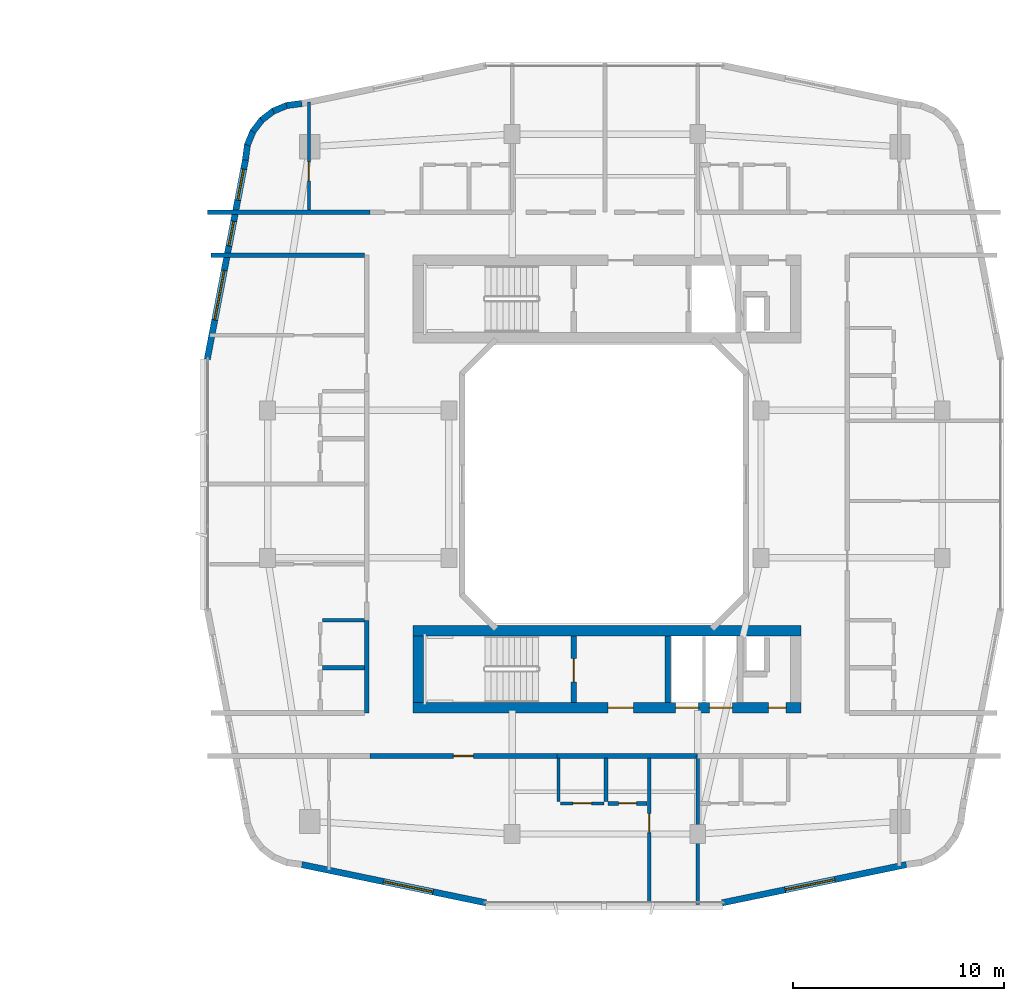
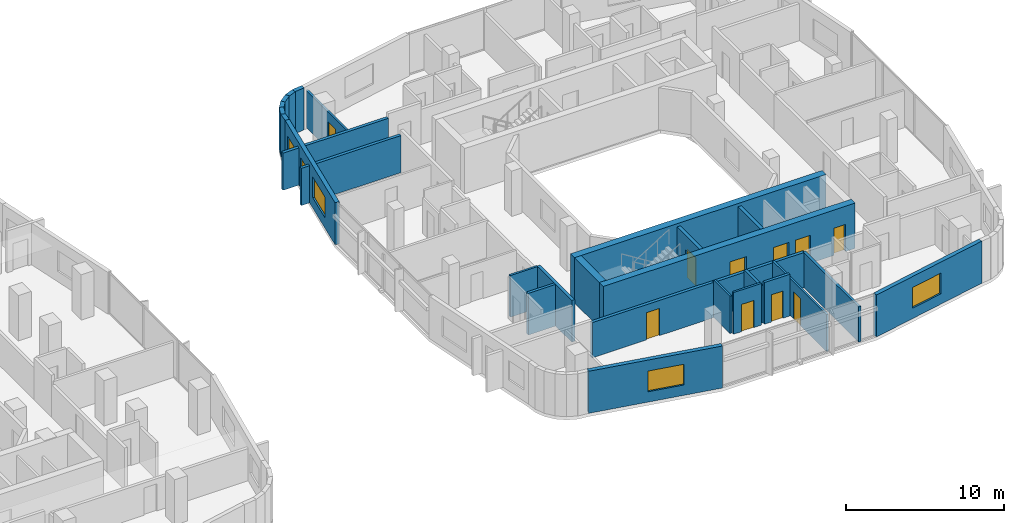
# One storey, part 17 of 26: 28 walls, 10 doors, 5 windows, 15 openings.
"""IFC4 building model written with IfcOpenShell, lengths in metres."""

from ifc_helpers import new_model, si_unit, derived_unit, direction, frame, frame_2d, origin, place, context, subcontext, project, spatial, rectangle, extrude, material, layer, layer_set, type_object, element, fill, save


model = new_model("IFC4")

# Units and contexts
model_context = context("Model", 3, precision=1e-05, world=origin(), true_north=direction((0.0, 1.0)))
body_context = subcontext(model_context, "Body", "Model", "MODEL_VIEW")
ifc_project = project(units=[si_unit("LENGTHUNIT", "METRE"), si_unit("AREAUNIT", "SQUARE_METRE"), si_unit("VOLUMEUNIT", "CUBIC_METRE"), si_unit("PLANEANGLEUNIT", "RADIAN"), si_unit("MASSUNIT", "GRAM", prefix="KILO"), derived_unit("THERMALTRANSMITTANCEUNIT", [(si_unit("POWERUNIT", "WATT"), 1), (si_unit("LENGTHUNIT", "METRE"), -2), (si_unit("THERMODYNAMICTEMPERATUREUNIT", "KELVIN"), -1)])], contexts=[model_context])

# Site, building, storey
site_placement = place(None, origin())
site = spatial("IfcSite", under=ifc_project, at=site_placement, CompositionType="ELEMENT")
building_placement = place(site_placement, origin())
building = spatial("IfcBuilding", under=site, at=building_placement, Name="Kivonza Crest Hotel", CompositionType="ELEMENT")
storey_placement = place(building_placement, frame((0.0, 0.0, 62.5)))
storey = spatial("IfcBuildingStorey", under=building, at=storey_placement, Name="L16", CompositionType="ELEMENT", Elevation=62.5)

# Walls
ifc_material_1 = material(Name="High-density acoustic masonry inter-tenancy wall", Category="masonry")
ifc_layer_1 = layer(ifc_material_1, 0.179931640625)
ifc_layer_set_1 = layer_set([ifc_layer_1], Name="High-density acoustic masonry inter-tenancy wall")
wall_type_1 = type_object("IfcWallType", Name="WL-ACOU-180", PredefinedType="SOLIDWALL", material=ifc_layer_set_1)
wall_1_placement = place(storey_placement, frame((81.39990234375, 5.06005859375, 0.0), z_axis=(0.0, 0.0, 1.0), x_axis=(0.0, 1.0, 0.0)))
element("IfcWall", 1, at=wall_1_placement, inside=storey, type_object=wall_type_1, Name="L16 interior partition WA-L16-T2S-DIV1", PredefinedType="SOLIDWALL", context=body_context, shape_type="SweptSolid", body=[
    extrude(rectangle(XDim=7.0400390625, YDim=0.179931640625, at=frame_2d((3.52001953125, 0.0))), origin(), (0.0, 0.0, 1.0), 2.72509765625),
])
ifc_material_2 = material(Name="Autoclaved aerated concrete blockwork", Category="masonry")
ifc_layer_2 = layer(ifc_material_2, 0.219970703125)
ifc_layer_set_2 = layer_set([ifc_layer_2], Name="Autoclaved aerated concrete blockwork")
wall_type_2 = type_object("IfcWallType", Name="WL-ACOU-220", PredefinedType="SOLIDWALL", material=ifc_layer_set_2)
wall_2_placement = place(storey_placement, frame((58.159912109375, 37.89990234375, 0.0), z_axis=(0.0, 0.0, 1.0), x_axis=(1.0, 0.0, 0.0)))
element("IfcWall", 2, at=wall_2_placement, inside=storey, type_object=wall_type_2, Name="L16 interior partition WA-L16-A01-LCORR", PredefinedType="SOLIDWALL", context=body_context, shape_type="SweptSolid", body=[
    extrude(rectangle(XDim=7.690185546875, YDim=0.219970703125, at=frame_2d((3.84521484375, 0.0))), origin(), (0.0, 0.0, 1.0), 2.864990234375),
])
wall_3_placement = place(storey_placement, frame((74.719970703125, 12.10009765625, 0.0), z_axis=(0.0, 0.0, 1.0), x_axis=(1.0, 0.0, 0.0)))
element("IfcWall", 3, at=wall_3_placement, inside=storey, type_object=wall_type_2, Name="L16 interior partition WA-L16-A03-RCORR", PredefinedType="SOLIDWALL", context=body_context, shape_type="SweptSolid", body=[
    extrude(rectangle(XDim=6.679931640625, YDim=0.219970703125, at=frame_2d((3.33984375, 0.0))), origin(), (0.0, 0.0, 1.0), 2.72509765625),
])

# Wall, opening, door
wall_4_placement = place(storey_placement, frame((65.85009765625, 12.10009765625, 0.0), z_axis=(0.0, 0.0, 1.0), x_axis=(1.0, 0.0, 0.0)))
wall_4 = element("IfcWall", 4, at=wall_4_placement, inside=storey, type_object=wall_type_2, Name="L16 interior partition WA-L16-A03-MCORR", PredefinedType="SOLIDWALL", context=body_context, shape_type="SweptSolid", body=[
    extrude(rectangle(XDim=8.869873046875, YDim=0.219970703125, at=frame_2d((4.43505859375, 0.0))), origin(), (0.0, 0.0, 1.0), 2.72509765625),
])
opening_1_placement = place(wall_4_placement, frame((3.9599609375, 0.0, 0.0)))
opening_1 = element("IfcOpeningElement", 5, at=opening_1_placement, cuts=wall_4, Name="Opening DU-60", PredefinedType="OPENING", context=body_context, shape_type="SweptSolid", body=[
    extrude(rectangle(XDim=0.949951171875, YDim=2.10009765625, at=frame_2d((0.47509765625, 1.050048828125))), frame((0.0, 0.1201171875, 0.0), z_axis=(0.0, -1.0, 0.0), x_axis=(1.0, 0.0, 0.0)), (0.0, 0.0, 1.0), 0.239990234375),
])
ifc_material_3 = material(Name="Hardwood timber oak", Category="wood")
door_type_1 = type_object("IfcDoorType", Name="DR-UNIT-950", OperationType="NOTDEFINED", PredefinedType="DOOR", material=ifc_material_3)
door_1_placement = place(opening_1_placement, frame((0.949951171875, 0.0, 0.0), z_axis=(0.0, 0.0, 1.0), x_axis=(-1.0, 0.0, 0.0)))
door_1 = element("IfcDoor", 6, at=door_1_placement, inside=storey, type_object=door_type_1, Name="L16 A03 apartment entrance fire door", OperationType="SINGLE_SWING_LEFT", OverallHeight=2.10009765625, OverallWidth=0.949951171875, PredefinedType="DOOR", context=body_context, shape_type="SweptSolid", body=[
    extrude(rectangle(XDim=0.949951171875, YDim=2.10009765625, at=frame_2d((0.47509765625, 1.050048828125))), frame((0.0, 0.02490234375, 0.0), z_axis=(0.0, -1.0, 0.0), x_axis=(1.0, 0.0, 0.0)), (0.0, 0.0, 1.0), 0.050048828125),
])
fill(opening_1, door_1)

# Walls
wall_5_placement = place(storey_placement, frame((58.320068359375, 35.860107421875, 0.0), z_axis=(0.0, 0.0, 1.0), x_axis=(1.0, 0.0, 0.0)))
element("IfcWall", 7, at=wall_5_placement, inside=storey, type_object=wall_type_2, Name="L16 interior partition WA-L16-T2W-ENDN", PredefinedType="SOLIDWALL", context=body_context, shape_type="SweptSolid", body=[
    extrude(rectangle(XDim=7.280029296875, YDim=0.219970703125, at=frame_2d((3.64013671875, 0.0))), origin(), (0.0, 0.0, 1.0), 2.864990234375),
])
wall_6_placement = place(storey_placement, frame((65.699951171875, 14.139892578125, 0.0), z_axis=(0.0, 0.0, 1.0), x_axis=(0.0, 1.0, 0.0)))
element("IfcWall", 8, at=wall_6_placement, inside=storey, type_object=wall_type_2, Name="L16 interior partition WA-L16-A05-BCORR", PredefinedType="SOLIDWALL", context=body_context, shape_type="SweptSolid", body=[
    extrude(rectangle(XDim=4.400146484375, YDim=0.219970703125, at=frame_2d((2.2001953125, 0.0))), origin(), (0.0, 0.0, 1.0), 3.219970703125),
])

# Wall, openings, doors
ifc_material_4 = material(Name="Concrete C60/75", Category="concrete")
ifc_layer_3 = layer(ifc_material_4, 0.5)
ifc_layer_set_3 = layer_set([ifc_layer_3], Name="Concrete C60/75")
wall_type_3 = type_object("IfcWallType", Name="WL-CORE-500", PredefinedType="SHEAR", material=ifc_layer_set_3)
wall_7_placement = place(storey_placement, frame((67.89990234375, 14.389892578125, 0.0), z_axis=(0.0, 0.0, 1.0), x_axis=(1.0, 0.0, 0.0)))
wall_7 = element("IfcWall", 9, at=wall_7_placement, inside=storey, type_object=wall_type_3, Name="Core wall T2-S South L16", PredefinedType="SHEAR", context=body_context, shape_type="SweptSolid", body=[
    extrude(rectangle(XDim=18.400146484375, YDim=0.5, at=frame_2d((9.2001953125, 0.0))), origin(), (0.0, 0.0, 1.0), 3.5),
])
opening_2_placement = place(wall_7_placement, frame((9.25, 0.0, 0.0)))
opening_2 = element("IfcOpeningElement", 10, at=opening_2_placement, cuts=wall_7, Name="Opening DF-60", PredefinedType="OPENING", context=body_context, shape_type="SweptSolid", body=[
    extrude(rectangle(XDim=1.199951171875, YDim=2.14990234375, at=frame_2d((0.60009765625, 1.074951171875))), frame((0.0, 0.260009765625, 0.0), z_axis=(0.0, -1.0, 0.0), x_axis=(1.0, 0.0, 0.0)), (0.0, 0.0, 1.0), 0.52001953125),
])
opening_3_placement = place(wall_7_placement, frame((16.85009765625, 0.0, 0.0)))
opening_3 = element("IfcOpeningElement", 11, at=opening_3_placement, cuts=wall_7, Name="Opening DF-60R", PredefinedType="OPENING", context=body_context, shape_type="SweptSolid", body=[
    extrude(rectangle(XDim=0.85009765625, YDim=2.10009765625, at=frame_2d((0.425048828125, 1.050048828125))), frame((0.0, 0.260009765625, 0.0), z_axis=(0.0, -1.0, 0.0), x_axis=(1.0, 0.0, 0.0)), (0.0, 0.0, 1.0), 0.52001953125),
])
opening_4_placement = place(wall_7_placement, frame((12.449951171875, 0.0, 0.0)))
opening_4 = element("IfcOpeningElement", 12, at=opening_4_placement, cuts=wall_7, Name="Opening LD-120", PredefinedType="OPENING", context=body_context, shape_type="SweptSolid", body=[
    extrude(rectangle(XDim=1.10009765625, YDim=2.14990234375, at=frame_2d((0.550048828125, 1.074951171875))), frame((0.0, 0.260009765625, 0.0), z_axis=(0.0, -1.0, 0.0), x_axis=(1.0, 0.0, 0.0)), (0.0, 0.0, 1.0), 0.52001953125),
])
opening_5_placement = place(wall_7_placement, frame((14.050048828125, 0.0, 0.0)))
opening_5 = element("IfcOpeningElement", 13, at=opening_5_placement, cuts=wall_7, Name="Opening LD-120", PredefinedType="OPENING", context=body_context, shape_type="SweptSolid", body=[
    extrude(rectangle(XDim=1.10009765625, YDim=2.14990234375, at=frame_2d((0.550048828125, 1.074951171875))), frame((0.0, 0.260009765625, 0.0), z_axis=(0.0, -1.0, 0.0), x_axis=(1.0, 0.0, 0.0)), (0.0, 0.0, 1.0), 0.52001953125),
])
door_type_2 = type_object("IfcDoorType", Name="DR-FD60-1200", OperationType="NOTDEFINED", PredefinedType="DOOR", material=ifc_material_3)
door_2_placement = place(opening_2_placement, frame((1.199951171875, 0.0, 0.0), z_axis=(0.0, 0.0, 1.0), x_axis=(-1.0, 0.0, 0.0)))
door_2 = element("IfcDoor", 14, at=door_2_placement, inside=storey, type_object=door_type_2, Name="L16 T2-S firefighting lobby fire door", OperationType="SINGLE_SWING_LEFT", OverallHeight=2.14990234375, OverallWidth=1.199951171875, PredefinedType="DOOR", context=body_context, shape_type="SweptSolid", body=[
    extrude(rectangle(XDim=1.199951171875, YDim=2.14990234375, at=frame_2d((0.60009765625, 1.074951171875))), frame((0.0, 0.02490234375, 0.0), z_axis=(0.0, -1.0, 0.0), x_axis=(1.0, 0.0, 0.0)), (0.0, 0.0, 1.0), 0.050048828125),
])
fill(opening_2, door_2)
door_type_3 = type_object("IfcDoorType", Name="DR-FD60-850", OperationType="NOTDEFINED", PredefinedType="DOOR", material=ifc_material_3)
door_3_placement = place(opening_3_placement, frame((0.85009765625, 0.0, 0.0), z_axis=(0.0, 0.0, 1.0), x_axis=(-1.0, 0.0, 0.0)))
door_3 = element("IfcDoor", 15, at=door_3_placement, inside=storey, type_object=door_type_3, Name="L16 T2-S core room door", OperationType="SINGLE_SWING_RIGHT", OverallHeight=2.10009765625, OverallWidth=0.85009765625, PredefinedType="DOOR", context=body_context, shape_type="SweptSolid", body=[
    extrude(rectangle(XDim=0.85009765625, YDim=2.10009765625, at=frame_2d((0.425048828125, 1.050048828125))), frame((0.0, 0.02490234375, 0.0), z_axis=(0.0, -1.0, 0.0), x_axis=(1.0, 0.0, 0.0)), (0.0, 0.0, 1.0), 0.050048828125),
])
fill(opening_3, door_3)
ifc_material_5 = material(Name="Stainless steel", Category="steel")
door_type_4 = type_object("IfcDoorType", Name="DR-LD120-1100", OperationType="NOTDEFINED", PredefinedType="DOOR", material=ifc_material_5)
door_4_placement = place(opening_4_placement, frame((1.10009765625, 0.0, 0.0), z_axis=(0.0, 0.0, 1.0), x_axis=(-1.0, 0.0, 0.0)))
door_4 = element("IfcDoor", 16, at=door_4_placement, inside=storey, type_object=door_type_4, Name="L16 PL-T2-1 passenger lift sliding landing door", OperationType="DOUBLE_DOOR_SLIDING", OverallHeight=2.14990234375, OverallWidth=1.10009765625, PredefinedType="DOOR", context=body_context, shape_type="SweptSolid", body=[
    extrude(rectangle(XDim=1.10009765625, YDim=2.14990234375, at=frame_2d((0.550048828125, 1.074951171875))), frame((0.0, 0.02490234375, 0.0), z_axis=(0.0, -1.0, 0.0), x_axis=(1.0, 0.0, 0.0)), (0.0, 0.0, 1.0), 0.050048828125),
])
fill(opening_4, door_4)
door_5_placement = place(opening_5_placement, frame((1.10009765625, 0.0, 0.0), z_axis=(0.0, 0.0, 1.0), x_axis=(-1.0, 0.0, 0.0)))
door_5 = element("IfcDoor", 17, at=door_5_placement, inside=storey, type_object=door_type_4, Name="L16 PL-T2-2 passenger lift sliding landing door", OperationType="DOUBLE_DOOR_SLIDING", OverallHeight=2.14990234375, OverallWidth=1.10009765625, PredefinedType="DOOR", context=body_context, shape_type="SweptSolid", body=[
    extrude(rectangle(XDim=1.10009765625, YDim=2.14990234375, at=frame_2d((0.550048828125, 1.074951171875))), frame((0.0, 0.02490234375, 0.0), z_axis=(0.0, -1.0, 0.0), x_axis=(1.0, 0.0, 0.0)), (0.0, 0.0, 1.0), 0.050048828125),
])
fill(opening_5, door_5)

# Walls
wall_8_placement = place(storey_placement, frame((67.89990234375, 18.050048828125, 0.0), z_axis=(0.0, 0.0, 1.0), x_axis=(1.0, 0.0, 0.0)))
element("IfcWall", 18, at=wall_8_placement, inside=storey, type_object=wall_type_3, Name="Core wall T2-S North L16", PredefinedType="SHEAR", context=body_context, shape_type="SweptSolid", body=[
    extrude(rectangle(XDim=18.400146484375, YDim=0.5, at=frame_2d((9.2001953125, 0.0))), origin(), (0.0, 0.0, 1.0), 3.5),
])
wall_9_placement = place(storey_placement, frame((68.14990234375, 14.639892578125, 0.0), z_axis=(0.0, 0.0, 1.0), x_axis=(0.0, 1.0, 0.0)))
element("IfcWall", 19, at=wall_9_placement, inside=storey, type_object=wall_type_3, Name="Core wall T2-S West L16", PredefinedType="SHEAR", context=body_context, shape_type="SweptSolid", body=[
    extrude(rectangle(XDim=3.16015625, YDim=0.5, at=frame_2d((1.580078125, 0.0))), origin(), (0.0, 0.0, 1.0), 3.5),
])

# Wall, opening, window
ifc_material_6 = material(Name="Precast concrete C40/50", Category="concrete")
ifc_layer_4 = layer(ifc_material_6, 0.300048828125)
ifc_layer_set_4 = layer_set([ifc_layer_4], Name="Precast concrete C40/50")
wall_type_4 = type_object("IfcWallType", Name="WL-EXT-300", PredefinedType="STANDARD", material=ifc_layer_set_4)
wall_10_placement = place(storey_placement, frame((62.6220703125, 6.948974609375, 0.0), z_axis=(0.0, 0.0, 1.0), x_axis=(0.979127260729, -0.203248142175, 0.0)))
wall_10 = element("IfcWall", 20, at=wall_10_placement, inside=storey, type_object=wall_type_4, Name="L16 T2 exterior insulated wall 7", PredefinedType="STANDARD", context=body_context, shape_type="SweptSolid", body=[
    extrude(rectangle(XDim=8.920166015625, YDim=0.300048828125, at=frame_2d((4.4599609375, 0.0))), origin(), (0.0, 0.0, 1.0), 3.25),
])
opening_6_placement = place(wall_10_placement, frame((3.95703125, 0.0, 0.800048828125)))
opening_6 = element("IfcOpeningElement", 21, at=opening_6_placement, cuts=wall_10, Name="Opening WN-05", PredefinedType="OPENING", context=body_context, shape_type="SweptSolid", body=[
    extrude(rectangle(XDim=2.39990234375, YDim=1.60009765625, at=frame_2d((1.199951171875, 0.800048828125))), frame((0.0, 0.16015625, 0.0), z_axis=(0.0, -1.0, 0.0), x_axis=(1.0, 0.0, 0.0)), (0.0, 0.0, 1.0), 0.320068359375),
])
ifc_material_7 = material(Name="Thermally broken bronze aluminium and low-E double glazing", Category="aluminium")
window_type_1 = type_object("IfcWindowType", Name="WN-240x160", PartitioningType="TRIPLE_PANEL_VERTICAL", PredefinedType="WINDOW", material=ifc_material_7)
window_1_placement = place(opening_6_placement, origin())
window_1 = element("IfcWindow", 22, at=window_1_placement, inside=storey, type_object=window_type_1, Name="L16 T2 facade window 7", OverallHeight=1.60009765625, OverallWidth=2.39990234375, PartitioningType="SINGLE_PANEL", PredefinedType="WINDOW", context=body_context, shape_type="SweptSolid", body=[
    extrude(rectangle(XDim=2.39990234375, YDim=1.60009765625, at=frame_2d((1.199951171875, 0.800048828125))), frame((0.0, 0.030029296875, 0.0), z_axis=(0.0, -1.0, 0.0), x_axis=(1.0, 0.0, 0.0)), (0.0, 0.0, 1.0), 0.06005859375),
])
fill(opening_6, window_1)

wall_11_placement = place(storey_placement, frame((82.56396484375, 5.135986328125, 0.0), z_axis=(0.0, 0.0, 1.0), x_axis=(0.979128391325, 0.203242695569, 0.0)))
wall_11 = element("IfcWall", 23, at=wall_11_placement, inside=storey, type_object=wall_type_4, Name="L16 T2 exterior insulated wall 9", PredefinedType="STANDARD", context=body_context, shape_type="SweptSolid", body=[
    extrude(rectangle(XDim=8.92041015625, YDim=0.300048828125, at=frame_2d((4.460205078125, 0.0))), origin(), (0.0, 0.0, 1.0), 3.25),
])
opening_7_placement = place(wall_11_placement, frame((3.048095703125, 0.0, 0.800048828125)))
opening_7 = element("IfcOpeningElement", 24, at=opening_7_placement, cuts=wall_11, Name="Opening WN-05", PredefinedType="OPENING", context=body_context, shape_type="SweptSolid", body=[
    extrude(rectangle(XDim=2.39990234375, YDim=1.60009765625, at=frame_2d((1.199951171875, 0.800048828125))), frame((0.0, 0.16015625, 0.0), z_axis=(0.0, -1.0, 0.0), x_axis=(1.0, 0.0, 0.0)), (0.0, 0.0, 1.0), 0.320068359375),
])
window_2_placement = place(opening_7_placement, origin())
window_2 = element("IfcWindow", 25, at=window_2_placement, inside=storey, type_object=window_type_1, Name="L16 T2 facade window 9", OverallHeight=1.60009765625, OverallWidth=2.39990234375, PartitioningType="SINGLE_PANEL", PredefinedType="WINDOW", context=body_context, shape_type="SweptSolid", body=[
    extrude(rectangle(XDim=2.39990234375, YDim=1.60009765625, at=frame_2d((1.199951171875, 0.800048828125))), frame((0.0, 0.030029296875, 0.0), z_axis=(0.0, -1.0, 0.0), x_axis=(1.0, 0.0, 0.0)), (0.0, 0.0, 1.0), 0.06005859375),
])
fill(opening_7, window_2)

# Walls
wall_12_placement = place(storey_placement, frame((62.626953125, 43.052001953125, 0.0), z_axis=(0.0, 0.0, 1.0), x_axis=(-0.991480488834, -0.130255288807, 0.0)))
element("IfcWall", 26, at=wall_12_placement, inside=storey, type_object=wall_type_4, Name="L16 T2 exterior insulated wall 28", PredefinedType="STANDARD", context=body_context, shape_type="SweptSolid", body=[
    extrude(rectangle(XDim=0.72900390625, YDim=0.300048828125, at=frame_2d((0.364501953125, 0.0))), origin(), (0.0, 0.0, 1.0), 3.25),
])
for number, where, z_axis, x_axis, name in (
    (27, (61.955078125, 42.97607421875, 0.0), (0.0, 0.0, 1.0), (-0.923521684703, -0.383546213491, 0.0), "L16 T2 exterior insulated wall 29"),
    (28, (61.31103515625, 42.720947265625, 0.0), (0.0, 0.0, 1.0), (-0.79363269798, -0.608397189915, 0.0), "L16 T2 exterior insulated wall 30"),
    (29, (60.75390625, 42.30908203125, 0.0), (0.0, 0.0, 1.0), (-0.608397189915, -0.79363269798, 0.0), "L16 T2 exterior insulated wall 31"),
    (30, (60.323974609375, 41.76611328125, 0.0), (0.0, 0.0, 1.0), (-0.383151213466, -0.923685632463, 0.0), "L16 T2 exterior insulated wall 32"),
):
    element("IfcWall", number, at=place(storey_placement, frame(where, z_axis=z_axis, x_axis=x_axis)), inside=storey, type_object=wall_type_4, Name=name, PredefinedType="STANDARD", context=body_context, shape_type="SweptSolid", body=[
        extrude(rectangle(XDim=0.74609375, YDim=0.300048828125, at=frame_2d((0.373046875, 0.0))), origin(), (0.0, 0.0, 1.0), 3.25),
    ])
wall_13_placement = place(storey_placement, frame((60.047119140625, 41.131103515625, 0.0), z_axis=(0.0, 0.0, 1.0), x_axis=(-0.129653178221, -0.991559404866, 0.0)))
element("IfcWall", 31, at=wall_13_placement, inside=storey, type_object=wall_type_4, Name="L16 T2 exterior insulated wall 33", PredefinedType="STANDARD", context=body_context, shape_type="SweptSolid", body=[
    extrude(rectangle(XDim=0.764404296875, YDim=0.300048828125, at=frame_2d((0.38232421875, 0.0))), origin(), (0.0, 0.0, 1.0), 3.25),
])

# Wall, openings, windows
wall_14_placement = place(storey_placement, frame((59.948974609375, 40.3798828125, 0.0), z_axis=(0.0, 0.0, 1.0), x_axis=(-0.188087874316, -0.982152203854, 0.0)))
wall_14 = element("IfcWall", 32, at=wall_14_placement, inside=storey, type_object=wall_type_4, Name="L16 T2 exterior insulated wall 34", PredefinedType="STANDARD", context=body_context, shape_type="SweptSolid", body=[
    extrude(rectangle(XDim=9.6337890625, YDim=0.300048828125, at=frame_2d((4.81689453125, 0.0))), origin(), (0.0, 0.0, 1.0), 3.25),
])
opening_8_placement = place(wall_14_placement, frame((0.451904296875, 0.0, 0.85009765625)))
opening_8 = element("IfcOpeningElement", 33, at=opening_8_placement, cuts=wall_14, Name="Opening WN-02", PredefinedType="OPENING", context=body_context, shape_type="SweptSolid", body=[
    extrude(rectangle(XDim=1.5, YDim=1.5, at=frame_2d((0.75, 0.75))), frame((0.0, 0.16015625, 0.0), z_axis=(0.0, -1.0, 0.0), x_axis=(1.0, 0.0, 0.0)), (0.0, 0.0, 1.0), 0.320068359375),
])
opening_9_placement = place(wall_14_placement, frame((2.964111328125, 0.0, 0.85009765625)))
opening_9 = element("IfcOpeningElement", 34, at=opening_9_placement, cuts=wall_14, Name="Opening WN-01", PredefinedType="OPENING", context=body_context, shape_type="SweptSolid", body=[
    extrude(rectangle(XDim=1.199951171875, YDim=1.5, at=frame_2d((0.60009765625, 0.75))), frame((0.0, 0.16015625, 0.0), z_axis=(0.0, -1.0, 0.0), x_axis=(1.0, 0.0, 0.0)), (0.0, 0.0, 1.0), 0.320068359375),
])
opening_10_placement = place(wall_14_placement, frame((5.3369140625, 0.0, 0.800048828125)))
opening_10 = element("IfcOpeningElement", 35, at=opening_10_placement, cuts=wall_14, Name="Opening WN-05", PredefinedType="OPENING", context=body_context, shape_type="SweptSolid", body=[
    extrude(rectangle(XDim=2.39990234375, YDim=1.60009765625, at=frame_2d((1.199951171875, 0.800048828125))), frame((0.0, 0.16015625, 0.0), z_axis=(0.0, -1.0, 0.0), x_axis=(1.0, 0.0, 0.0)), (0.0, 0.0, 1.0), 0.320068359375),
])
window_type_2 = type_object("IfcWindowType", Name="WN-120x150", PartitioningType="SINGLE_PANEL", PredefinedType="WINDOW", material=ifc_material_7)
window_3_placement = place(opening_9_placement, origin())
window_3 = element("IfcWindow", 36, at=window_3_placement, inside=storey, type_object=window_type_2, Name="L16 T2 facade window 34 bay 2", OverallHeight=1.5, OverallWidth=1.199951171875, PartitioningType="SINGLE_PANEL", PredefinedType="WINDOW", context=body_context, shape_type="SweptSolid", body=[
    extrude(rectangle(XDim=1.199951171875, YDim=1.5, at=frame_2d((0.60009765625, 0.75))), frame((0.0, 0.030029296875, 0.0), z_axis=(0.0, -1.0, 0.0), x_axis=(1.0, 0.0, 0.0)), (0.0, 0.0, 1.0), 0.06005859375),
])
fill(opening_9, window_3)
window_type_3 = type_object("IfcWindowType", Name="WN-150x150", PartitioningType="DOUBLE_PANEL_VERTICAL", PredefinedType="WINDOW", material=ifc_material_7)
window_4_placement = place(opening_8_placement, origin())
window_4 = element("IfcWindow", 37, at=window_4_placement, inside=storey, type_object=window_type_3, Name="L16 T2 facade window 34 bay 1", OverallHeight=1.5, OverallWidth=1.5, PartitioningType="SINGLE_PANEL", PredefinedType="WINDOW", context=body_context, shape_type="SweptSolid", body=[
    extrude(rectangle(XDim=1.5, YDim=1.5, at=frame_2d((0.75, 0.75))), frame((0.0, 0.030029296875, 0.0), z_axis=(0.0, -1.0, 0.0), x_axis=(1.0, 0.0, 0.0)), (0.0, 0.0, 1.0), 0.06005859375),
])
fill(opening_8, window_4)
window_5_placement = place(opening_10_placement, origin())
window_5 = element("IfcWindow", 38, at=window_5_placement, inside=storey, type_object=window_type_1, Name="L16 T2 facade window 34 bay 3", OverallHeight=1.60009765625, OverallWidth=2.39990234375, PartitioningType="SINGLE_PANEL", PredefinedType="WINDOW", context=body_context, shape_type="SweptSolid", body=[
    extrude(rectangle(XDim=2.39990234375, YDim=1.60009765625, at=frame_2d((1.199951171875, 0.800048828125))), frame((0.0, 0.030029296875, 0.0), z_axis=(0.0, -1.0, 0.0), x_axis=(1.0, 0.0, 0.0)), (0.0, 0.0, 1.0), 0.06005859375),
])
fill(opening_10, window_5)

# Wall, opening, door
ifc_material_8 = material(Name="Twin-stud acoustic gypsum board partition", Category="gypsum")
ifc_layer_5 = layer(ifc_material_8, 0.14990234375)
ifc_layer_set_5 = layer_set([ifc_layer_5], Name="Twin-stud acoustic gypsum board partition")
wall_type_5 = type_object("IfcWallType", Name="WL-PART-150", PredefinedType="PARTITIONING", material=ifc_layer_set_5)
wall_15_placement = place(storey_placement, frame((62.9599609375, 38.0, 0.0), z_axis=(0.0, 0.0, 1.0), x_axis=(0.0, 1.0, 0.0)))
wall_15 = element("IfcWall", 39, at=wall_15_placement, inside=storey, type_object=wall_type_5, Name="L16 interior partition WP-L16-A01-BDW1", PredefinedType="PARTITIONING", context=body_context, shape_type="SweptSolid", body=[
    extrude(rectangle(XDim=5.113037109375, YDim=0.14990234375, at=frame_2d((2.556640625, 0.0))), origin(), (0.0, 0.0, 1.0), 2.864990234375),
])
opening_11_placement = place(wall_15_placement, frame((1.3798828125, 0.0, 0.0)))
opening_11 = element("IfcOpeningElement", 40, at=opening_11_placement, cuts=wall_15, Name="Opening DI-90", PredefinedType="OPENING", context=body_context, shape_type="SweptSolid", body=[
    extrude(rectangle(XDim=0.89990234375, YDim=2.10009765625, at=frame_2d((0.449951171875, 1.050048828125))), frame((0.0, 0.0849609375, 0.0), z_axis=(0.0, -1.0, 0.0), x_axis=(1.0, 0.0, 0.0)), (0.0, 0.0, 1.0), 0.169921875),
])
door_type_5 = type_object("IfcDoorType", Name="DR-INT-900", OperationType="NOTDEFINED", PredefinedType="DOOR", material=ifc_material_3)
door_6_placement = place(opening_11_placement, origin())
door_6 = element("IfcDoor", 41, at=door_6_placement, inside=storey, type_object=door_type_5, Name="L16 A01 bedroom 1 door", OperationType="SINGLE_SWING_RIGHT", OverallHeight=2.10009765625, OverallWidth=0.89990234375, PredefinedType="DOOR", context=body_context, shape_type="SweptSolid", body=[
    extrude(rectangle(XDim=0.89990234375, YDim=2.10009765625, at=frame_2d((0.449951171875, 1.050048828125))), frame((0.0, 0.02490234375, 0.0), z_axis=(0.0, -1.0, 0.0), x_axis=(1.0, 0.0, 0.0)), (0.0, 0.0, 1.0), 0.050048828125),
])
fill(opening_11, door_6)

wall_16_placement = place(storey_placement, frame((79.10009765625, 5.159912109375, 0.0), z_axis=(0.0, 0.0, 1.0), x_axis=(0.0, 1.0, 0.0)))
wall_16 = element("IfcWall", 42, at=wall_16_placement, inside=storey, type_object=wall_type_5, Name="L16 interior partition WP-L16-A03-BDW2", PredefinedType="PARTITIONING", context=body_context, shape_type="SweptSolid", body=[
    extrude(rectangle(XDim=6.840087890625, YDim=0.14990234375, at=frame_2d((3.419921875, 0.0))), origin(), (0.0, 0.0, 1.0), 2.864990234375),
])
opening_12_placement = place(wall_16_placement, frame((3.31005859375, 0.0, 0.0)))
opening_12 = element("IfcOpeningElement", 43, at=opening_12_placement, cuts=wall_16, Name="Opening DI-90", PredefinedType="OPENING", context=body_context, shape_type="SweptSolid", body=[
    extrude(rectangle(XDim=0.89990234375, YDim=2.10009765625, at=frame_2d((0.449951171875, 1.050048828125))), frame((0.0, 0.0849609375, 0.0), z_axis=(0.0, -1.0, 0.0), x_axis=(1.0, 0.0, 0.0)), (0.0, 0.0, 1.0), 0.169921875),
])
door_7_placement = place(opening_12_placement, origin())
door_7 = element("IfcDoor", 44, at=door_7_placement, inside=storey, type_object=door_type_5, Name="L16 A03 bedroom 2 door", OperationType="SINGLE_SWING_LEFT", OverallHeight=2.10009765625, OverallWidth=0.89990234375, PredefinedType="DOOR", context=body_context, shape_type="SweptSolid", body=[
    extrude(rectangle(XDim=0.89990234375, YDim=2.10009765625, at=frame_2d((0.449951171875, 1.050048828125))), frame((0.0, 0.02490234375, 0.0), z_axis=(0.0, -1.0, 0.0), x_axis=(1.0, 0.0, 0.0)), (0.0, 0.0, 1.0), 0.050048828125),
])
fill(opening_12, door_7)

# Wall
wall_17_placement = place(storey_placement, frame((74.800048828125, 9.949951171875, 0.0), z_axis=(0.0, 0.0, 1.0), x_axis=(0.0, 1.0, 0.0)))
element("IfcWall", 45, at=wall_17_placement, inside=storey, type_object=wall_type_5, Name="L16 interior partition WP-L16-A03-KF", PredefinedType="PARTITIONING", context=body_context, shape_type="SweptSolid", body=[
    extrude(rectangle(XDim=2.050048828125, YDim=0.14990234375, at=frame_2d((1.02490234375, 0.0))), origin(), (0.0, 0.0, 1.0), 2.89501953125),
])

# Wall, opening, door
wall_18_placement = place(storey_placement, frame((74.89990234375, 9.85009765625, 0.0), z_axis=(0.0, 0.0, 1.0), x_axis=(1.0, 0.0, 0.0)))
wall_18 = element("IfcWall", 46, at=wall_18_placement, inside=storey, type_object=wall_type_5, Name="L16 interior partition WP-L16-A03-KSVC", PredefinedType="PARTITIONING", context=body_context, shape_type="SweptSolid", body=[
    extrude(rectangle(XDim=2.050048828125, YDim=0.14990234375, at=frame_2d((1.02490234375, 0.0))), origin(), (0.0, 0.0, 1.0), 3.219970703125),
])
opening_13_placement = place(wall_18_placement, frame((0.574951171875, 0.0, 0.0)))
opening_13 = element("IfcOpeningElement", 47, at=opening_13_placement, cuts=wall_18, Name="Opening DI-90", PredefinedType="OPENING", context=body_context, shape_type="SweptSolid", body=[
    extrude(rectangle(XDim=0.89990234375, YDim=2.10009765625, at=frame_2d((0.449951171875, 1.050048828125))), frame((0.0, 0.0849609375, 0.0), z_axis=(0.0, -1.0, 0.0), x_axis=(1.0, 0.0, 0.0)), (0.0, 0.0, 1.0), 0.169921875),
])
door_8_placement = place(opening_13_placement, frame((0.89990234375, 0.0, 0.0), z_axis=(0.0, 0.0, 1.0), x_axis=(-1.0, 0.0, 0.0)))
door_8 = element("IfcDoor", 48, at=door_8_placement, inside=storey, type_object=door_type_5, Name="L16 A03 apartment kitchen door", OperationType="SINGLE_SWING_LEFT", OverallHeight=2.10009765625, OverallWidth=0.89990234375, PredefinedType="DOOR", context=body_context, shape_type="SweptSolid", body=[
    extrude(rectangle(XDim=0.89990234375, YDim=2.10009765625, at=frame_2d((0.449951171875, 1.050048828125))), frame((0.0, 0.02490234375, 0.0), z_axis=(0.0, -1.0, 0.0), x_axis=(1.0, 0.0, 0.0)), (0.0, 0.0, 1.0), 0.050048828125),
])
fill(opening_13, door_8)

# Walls
wall_19_placement = place(storey_placement, frame((63.60009765625, 18.5400390625, 0.0), z_axis=(0.0, 0.0, 1.0), x_axis=(1.0, 0.0, 0.0)))
element("IfcWall", 49, at=wall_19_placement, inside=storey, type_object=wall_type_5, Name="L16 interior partition WP-L16-A05-KF", PredefinedType="PARTITIONING", context=body_context, shape_type="SweptSolid", body=[
    extrude(rectangle(XDim=2.0, YDim=0.14990234375, at=frame_2d((1.0, 0.0))), origin(), (0.0, 0.0, 1.0), 3.219970703125),
])
ifc_material_9 = material(Name="Moisture-resistant plumbing chase partition wall", Category="gypsum")
ifc_layer_6 = layer(ifc_material_9, 0.199951171875)
ifc_layer_set_6 = layer_set([ifc_layer_6], Name="Moisture-resistant plumbing chase partition wall")
wall_type_6 = type_object("IfcWallType", Name="WL-PLUMB-200", PredefinedType="PLUMBINGWALL", material=ifc_layer_set_6)
wall_20_placement = place(storey_placement, frame((77.050048828125, 9.949951171875, 0.0), z_axis=(0.0, 0.0, 1.0), x_axis=(0.0, 1.0, 0.0)))
element("IfcWall", 50, at=wall_20_placement, inside=storey, type_object=wall_type_6, Name="L16 interior partition WW-L16-A03-BK", PredefinedType="PLUMBINGWALL", context=body_context, shape_type="SweptSolid", body=[
    extrude(rectangle(XDim=2.050048828125, YDim=0.199951171875, at=frame_2d((1.02490234375, 0.0))), origin(), (0.0, 0.0, 1.0), 2.89501953125),
])

# Wall, opening, door
wall_21_placement = place(storey_placement, frame((77.14990234375, 9.85009765625, 0.0), z_axis=(0.0, 0.0, 1.0), x_axis=(1.0, 0.0, 0.0)))
wall_21 = element("IfcWall", 51, at=wall_21_placement, inside=storey, type_object=wall_type_6, Name="L16 interior partition WW-L16-A03-BSVC", PredefinedType="PLUMBINGWALL", context=body_context, shape_type="SweptSolid", body=[
    extrude(rectangle(XDim=1.85009765625, YDim=0.199951171875, at=frame_2d((0.925048828125, 0.0))), origin(), (0.0, 0.0, 1.0), 3.219970703125),
])
opening_14_placement = place(wall_21_placement, frame((0.5, 0.0, 0.0)))
opening_14 = element("IfcOpeningElement", 52, at=opening_14_placement, cuts=wall_21, Name="Opening DI-85", PredefinedType="OPENING", context=body_context, shape_type="SweptSolid", body=[
    extrude(rectangle(XDim=0.85009765625, YDim=2.10009765625, at=frame_2d((0.425048828125, 1.050048828125))), frame((0.0, 0.10986328125, 0.0), z_axis=(0.0, -1.0, 0.0), x_axis=(1.0, 0.0, 0.0)), (0.0, 0.0, 1.0), 0.219970703125),
])
door_type_6 = type_object("IfcDoorType", Name="DR-INT-850", OperationType="NOTDEFINED", PredefinedType="DOOR", material=ifc_material_3)
door_9_placement = place(opening_14_placement, frame((0.85009765625, 0.0, 0.0), z_axis=(0.0, 0.0, 1.0), x_axis=(-1.0, 0.0, 0.0)))
door_9 = element("IfcDoor", 53, at=door_9_placement, inside=storey, type_object=door_type_6, Name="L16 A03 apartment bathroom door", OperationType="SINGLE_SWING_RIGHT", OverallHeight=2.10009765625, OverallWidth=0.85009765625, PredefinedType="DOOR", context=body_context, shape_type="SweptSolid", body=[
    extrude(rectangle(XDim=0.85009765625, YDim=2.10009765625, at=frame_2d((0.425048828125, 1.050048828125))), frame((0.0, 0.02490234375, 0.0), z_axis=(0.0, -1.0, 0.0), x_axis=(1.0, 0.0, 0.0)), (0.0, 0.0, 1.0), 0.050048828125),
])
fill(opening_14, door_9)

# Wall
wall_22_placement = place(storey_placement, frame((63.60009765625, 16.2900390625, 0.0), z_axis=(0.0, 0.0, 1.0), x_axis=(1.0, 0.0, 0.0)))
element("IfcWall", 54, at=wall_22_placement, inside=storey, type_object=wall_type_6, Name="L16 interior partition WW-L16-A05-BK", PredefinedType="PLUMBINGWALL", context=body_context, shape_type="SweptSolid", body=[
    extrude(rectangle(XDim=2.0, YDim=0.199951171875, at=frame_2d((1.0, 0.0))), origin(), (0.0, 0.0, 1.0), 3.219970703125),
])

# Wall, opening, door
ifc_material_10 = material(Name="Concrete C50/60", Category="concrete")
ifc_layer_7 = layer(ifc_material_10, 0.25)
ifc_layer_set_7 = layer_set([ifc_layer_7], Name="Concrete C50/60")
wall_type_7 = type_object("IfcWallType", Name="WL-SHAFT-250", PredefinedType="STANDARD", material=ifc_layer_set_7)
wall_23_placement = place(storey_placement, frame((75.52490234375, 14.639892578125, 0.0), z_axis=(0.0, 0.0, 1.0), x_axis=(0.0, 1.0, 0.0)))
wall_23 = element("IfcWall", 55, at=wall_23_placement, inside=storey, type_object=wall_type_7, Name="Core shaft wall T2-S STAIR L16", PredefinedType="STANDARD", context=body_context, shape_type="SweptSolid", body=[
    extrude(rectangle(XDim=3.16015625, YDim=0.25, at=frame_2d((1.580078125, 0.0))), origin(), (0.0, 0.0, 1.0), 3.25),
])
opening_15_placement = place(wall_23_placement, frame((0.97998046875, 0.0, 0.0)))
opening_15 = element("IfcOpeningElement", 56, at=opening_15_placement, cuts=wall_23, Name="Opening DF-120", PredefinedType="OPENING", context=body_context, shape_type="SweptSolid", body=[
    extrude(rectangle(XDim=1.10009765625, YDim=2.14990234375, at=frame_2d((0.550048828125, 1.074951171875))), frame((0.0, 0.135009765625, 0.0), z_axis=(0.0, -1.0, 0.0), x_axis=(1.0, 0.0, 0.0)), (0.0, 0.0, 1.0), 0.27001953125),
])
ifc_material_11 = material(Name="Galvanised steel", Category="steel")
door_type_7 = type_object("IfcDoorType", Name="DR-FD120-1100", OperationType="NOTDEFINED", PredefinedType="DOOR", material=ifc_material_11)
door_10_placement = place(opening_15_placement, frame((1.10009765625, 0.0, 0.0), z_axis=(0.0, 0.0, 1.0), x_axis=(-1.0, 0.0, 0.0)))
door_10 = element("IfcDoor", 57, at=door_10_placement, inside=storey, type_object=door_type_7, Name="L16 T2-S stair fire door", OperationType="SINGLE_SWING_RIGHT", OverallHeight=2.14990234375, OverallWidth=1.10009765625, PredefinedType="DOOR", context=body_context, shape_type="SweptSolid", body=[
    extrude(rectangle(XDim=1.10009765625, YDim=2.14990234375, at=frame_2d((0.550048828125, 1.074951171875))), frame((0.0, 0.02490234375, 0.0), z_axis=(0.0, -1.0, 0.0), x_axis=(1.0, 0.0, 0.0)), (0.0, 0.0, 1.0), 0.050048828125),
])
fill(opening_15, door_10)

# Wall
wall_24_placement = place(storey_placement, frame((79.97509765625, 14.639892578125, 0.0), z_axis=(0.0, 0.0, 1.0), x_axis=(0.0, 1.0, 0.0)))
element("IfcWall", 58, at=wall_24_placement, inside=storey, type_object=wall_type_7, Name="Core shaft wall T2-S BANK-W L16", PredefinedType="STANDARD", context=body_context, shape_type="SweptSolid", body=[
    extrude(rectangle(XDim=3.16015625, YDim=0.25, at=frame_2d((1.580078125, 0.0))), origin(), (0.0, 0.0, 1.0), 3.25),
])

save(model, "model.ifc")
